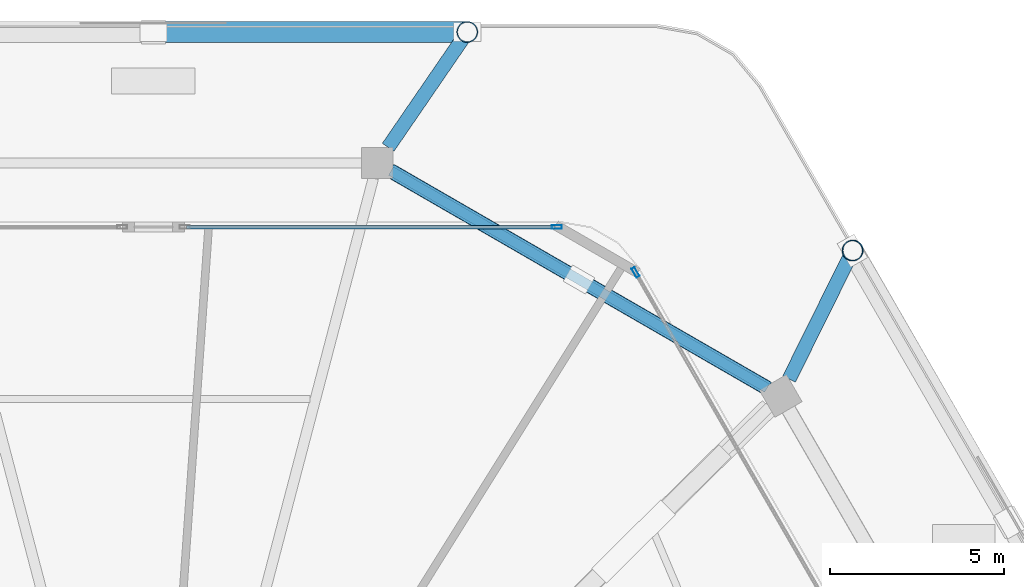
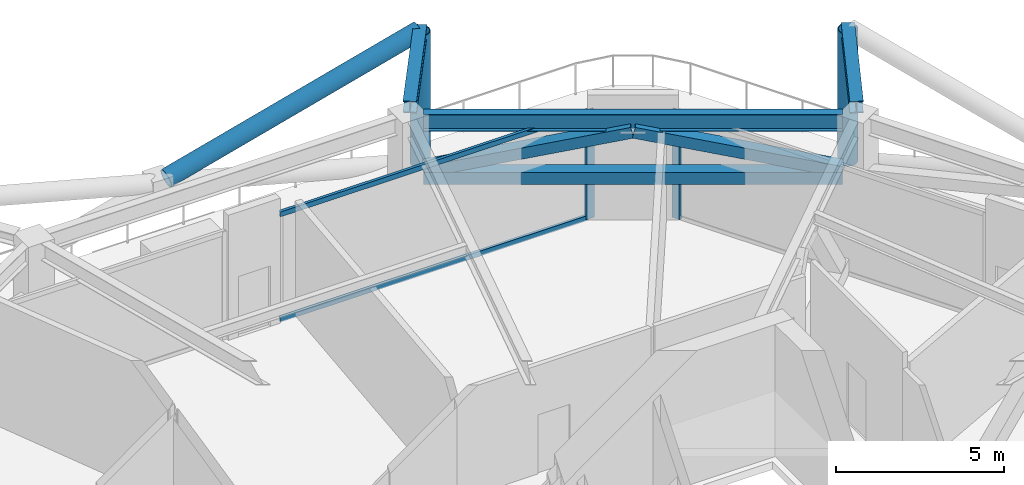
# One storey, part 11 of 20: 10 members, 3 beams, 2 elements without a shape of their own.
"""IFC4 building model written with IfcOpenShell, lengths in metres."""

from ifc_helpers import new_model, si_unit, direction, frame, origin, origin_2d, place, context, subcontext, project, spatial, hollow_rectangle, hollow_circle, i_section, extrude, material, material_profile, profile_set, type_object, element, aggregate, save


model = new_model("IFC4")

# Units and contexts
model_context = context("Model", 3, precision=1e-05, world=origin(), true_north=direction((0.0, 1.0)))
body_context = subcontext(model_context, "Body", "Model", "MODEL_VIEW")
ifc_project = project(units=[si_unit("LENGTHUNIT", "METRE"), si_unit("AREAUNIT", "SQUARE_METRE"), si_unit("VOLUMEUNIT", "CUBIC_METRE"), si_unit("PLANEANGLEUNIT", "RADIAN"), si_unit("MASSUNIT", "GRAM", prefix="KILO")], contexts=[model_context])

# Site, building, storey
site_placement = place(None, origin())
site = spatial("IfcSite", under=ifc_project, at=site_placement, CompositionType="ELEMENT")
building_placement = place(site_placement, origin())
building = spatial("IfcBuilding", under=site, at=building_placement, Name="Zuhravey Tower", CompositionType="ELEMENT")
storey_placement = place(building_placement, frame((0.0, 0.0, 226.39990234375)))
storey = spatial("IfcBuildingStorey", under=building, at=storey_placement, Name="L57", CompositionType="ELEMENT", Elevation=226.39990234375)

# Members
ifc_material_1 = material(Name="Steel SM355", Category="steel")
ifc_material_profile_1 = material_profile(ifc_material_1, hollow_rectangle(XDim=0.419921875, YDim=0.419921875, WallThickness=0.028076171875, at=origin_2d()), Name="RHS-420x420x28")
ifc_profile_set_1 = profile_set([ifc_material_profile_1], Name="Steel SM355")
member_type_1 = type_object("IfcMemberType", Name="Belt Truss Chord RHS420x420", PredefinedType="CHORD", material=ifc_profile_set_1)
member_1_placement = place(storey_placement, frame((53.649658203125, 50.082275390625, 2.27001953125), z_axis=(-0.866024429177, 0.500001688065, 0.0), x_axis=(-0.500001688065, -0.866024429177, 0.0)))
element("IfcMember", 1, at=member_1_placement, inside=storey, type_object=member_type_1, Name="L57 Belt Truss Bottom Chord BTC1-02", PredefinedType="CHORD", context=body_context, shape_type="SweptSolid", body=[
    extrude(hollow_rectangle(XDim=0.419921875, YDim=0.419921875, WallThickness=0.028076171875, at=origin_2d()), origin(), (0.0, 0.0, 1.0), 12.48779296875),
])
ifc_material_profile_2 = material_profile(ifc_material_1, hollow_rectangle(XDim=0.39990234375, YDim=0.39990234375, WallThickness=0.02490234375, at=origin_2d()), Name="RHS-400x400x25")
ifc_profile_set_2 = profile_set([ifc_material_profile_2], Name="Steel SM355")
member_type_2 = type_object("IfcMemberType", Name="Belt Truss Diagonal RHS400x400", PredefinedType="BRACE", material=ifc_profile_set_2)
member_2_placement = place(storey_placement, frame((53.636962890625, 50.089599609375, 2.493408203125), z_axis=(-0.843887873098, 0.487178374606, 0.224745386947), x_axis=(-0.49996881482, -0.866043407808, 0.0)))
element("IfcMember", 2, at=member_2_placement, inside=storey, type_object=member_type_2, Name="L57 Belt Truss Diagonal BTD1-02.1", PredefinedType="BRACE", context=body_context, shape_type="SweptSolid", body=[
    extrude(hollow_rectangle(XDim=0.39990234375, YDim=0.39990234375, WallThickness=0.02490234375, at=origin_2d()), origin(), (0.0, 0.0, 1.0), 6.367919921875),
])
member_3_placement = place(storey_placement, frame((42.84765625, 56.31884765625, 2.493408203125), z_axis=(0.843861073225, -0.487223376581, 0.224748460302), x_axis=(0.50001536203, 0.866016534331, 0.0)))
element("IfcMember", 3, at=member_3_placement, inside=storey, type_object=member_type_2, Name="L57 Belt Truss Diagonal BTD1-02.2", PredefinedType="BRACE", context=body_context, shape_type="SweptSolid", body=[
    extrude(hollow_rectangle(XDim=0.39990234375, YDim=0.39990234375, WallThickness=0.02490234375, at=origin_2d()), origin(), (0.0, 0.0, 1.0), 6.36767578125),
])

# Beams
ifc_material_2 = material(Name="Steel SM460", Category="steel")
ifc_material_profile_3 = material_profile(ifc_material_2, i_section(OverallWidth=0.406982421875, OverallDepth=0.427978515625, WebThickness=0.02001953125, FlangeThickness=0.034912109375, at=origin_2d()), Name="H-428x407x20x35")
ifc_profile_set_3 = profile_set([ifc_material_profile_3], Name="Steel SM460")
beam_type_1 = type_object("IfcBeamType", Name="Exoskeleton Node Tie Beam H428x407", PredefinedType="BEAM", material=ifc_profile_set_3)
beam_1_placement = place(storey_placement, frame((54.285400390625, 50.342529296875, 4.336181640625), z_axis=(0.444076610342, 0.895988819209, 0.0), x_axis=(-0.895988819209, 0.444076610342, 0.0)))
element("IfcBeam", 4, at=beam_1_placement, inside=storey, type_object=beam_type_1, Name="L57 Exoskeleton Node Tie NT1-02", PredefinedType="BEAM", context=body_context, shape_type="SweptSolid", body=[
    extrude(i_section(OverallWidth=0.406982421875, OverallDepth=0.427978515625, WebThickness=0.02001953125, FlangeThickness=0.034912109375, at=origin_2d()), origin(), (0.0, 0.0, 1.0), 4.11279296875),
])
beam_2_placement = place(storey_placement, frame((42.752197265625, 57.0068359375, 4.336181640625), z_axis=(0.565936679704, 0.824448709481, 0.0), x_axis=(-0.824448709481, 0.565936679704, 0.0)))
element("IfcBeam", 5, at=beam_2_placement, inside=storey, type_object=beam_type_1, Name="L57 Exoskeleton Node Tie NT1-03", PredefinedType="BEAM", context=body_context, shape_type="SweptSolid", body=[
    extrude(i_section(OverallWidth=0.406982421875, OverallDepth=0.427978515625, WebThickness=0.02001953125, FlangeThickness=0.034912109375, at=origin_2d()), origin(), (0.0, 0.0, 1.0), 4.008056640625),
])

# Members
ifc_material_profile_4 = material_profile(ifc_material_1, hollow_circle(Radius=0.3046875, WallThickness=0.028076171875, at=origin_2d()), Name="CHS-609.6x28")
ifc_profile_set_4 = profile_set([ifc_material_profile_4], Name="Steel SM355")
member_type_3 = type_object("IfcMemberType", Name="Exoskeleton Zone 3 Diagrid CHS610x28", PredefinedType="BRACE", material=ifc_profile_set_4)
for number, where, z_axis, x_axis, name in (
    (6, (56.10546875, 54.03369140625, -0.475830078125), (0.002699111076, 0.001527798722, 0.999995190304), (-0.492598219852, 0.870256855071, 0.0), "L57 Face 1 Diagrid Brace 4"),
    (7, (45.029052734375, 60.323486328125, -0.475830078125), (0.0, 0.0, 1.0), (1.0, 0.0, 0.0), "L57 Face 2 Diagrid Brace 1"),
):
    element("IfcMember", number, at=place(storey_placement, frame(where, z_axis=z_axis, x_axis=x_axis)), inside=storey, type_object=member_type_3, Name=name, PredefinedType="BRACE", context=body_context, shape_type="SweptSolid", body=[
        extrude(hollow_circle(Radius=0.3046875, WallThickness=0.028076171875, at=origin_2d()), origin(), (0.0, 0.0, 1.0), 4.7939453125),
    ])
member_4_placement = place(storey_placement, frame((36.284912109375, 60.323486328125, 1.997314453125), z_axis=(0.966041782688, 0.0, 0.258385901514), x_axis=(0.0, 1.0, 0.0)))
element("IfcMember", 8, at=member_4_placement, inside=storey, type_object=member_type_3, Name="L57 Face 2 Split Diagrid Brace 3B", PredefinedType="BRACE", context=body_context, shape_type="SweptSolid", body=[
    extrude(hollow_circle(Radius=0.3046875, WallThickness=0.028076171875, at=origin_2d()), origin(), (0.0, 0.0, 1.0), 8.991455078125),
])

# Curtain wall, member
ifc_material_3 = material(Name="Thermally broken anodised aluminium", Category="aluminium")
curtain_wall_type = type_object("IfcCurtainWallType", Name="Sky-Garden Tray Clerestory Curtain Wall CW5", PredefinedType="NOTDEFINED", material=ifc_material_3)
curtain_wall_1_placement = place(storey_placement, origin())
curtain_wall_1 = element("IfcCurtainWall", 9, at=curtain_wall_1_placement, inside=storey, type_object=curtain_wall_type, Name="L57 CW5 CW-L57-F2-2", PredefinedType="NOTDEFINED")
ifc_material_4 = material(Name="Anodised aluminium", Category="aluminium")
ifc_material_profile_5 = material_profile(ifc_material_4, hollow_rectangle(XDim=0.10009765625, YDim=0.2900390625, WallThickness=0.006103515625, at=origin_2d()), Name="ALU-RHS-100x290x6")
ifc_profile_set_5 = profile_set([ifc_material_profile_5], Name="Anodised aluminium")
member_type_4 = type_object("IfcMemberType", Name="Heavy Tall-Storey Mullion 100x220", PredefinedType="MULLION", material=ifc_profile_set_5)
member_5_placement = place(storey_placement, frame((47.60595703125, 54.713623046875, 0.0), z_axis=(0.0, 0.0, 1.0), x_axis=(0.0, 1.0, 0.0)))
member_5 = element("IfcMember", 10, at=member_5_placement, type_object=member_type_4, Name="CW5 mullion 2", PredefinedType="MULLION", context=body_context, shape_type="SweptSolid", body=[
    extrude(hollow_rectangle(XDim=0.10009765625, YDim=0.2900390625, WallThickness=0.006103515625, at=origin_2d()), origin(), (0.0, 0.0, 1.0), 3.93017578125),
])

curtain_wall_2_placement = place(storey_placement, origin())
curtain_wall_2 = element("IfcCurtainWall", 11, at=curtain_wall_2_placement, inside=storey, type_object=curtain_wall_type, Name="L57 CW5 CW-L57-F1-1", PredefinedType="NOTDEFINED")
member_6_placement = place(storey_placement, frame((49.86767578125, 53.40771484375, 0.0), z_axis=(0.0, 0.0, 1.0), x_axis=(0.866023772421, 0.500002825594, 0.0)))
member_6 = element("IfcMember", 12, at=member_6_placement, type_object=member_type_4, Name="CW5 mullion 1", PredefinedType="MULLION", context=body_context, shape_type="SweptSolid", body=[
    extrude(hollow_rectangle(XDim=0.10009765625, YDim=0.2900390625, WallThickness=0.006103515625, at=origin_2d()), origin(), (0.0, 0.0, 1.0), 3.93017578125),
])
aggregate(curtain_wall_2, [member_6])

# Beam
ifc_material_profile_6 = material_profile(ifc_material_1, i_section(OverallWidth=0.280029296875, OverallDepth=0.6201171875, WebThickness=0.011962890625, FlangeThickness=0.02001953125, at=origin_2d()), Name="H-620x280x12x20")
ifc_profile_set_6 = profile_set([ifc_material_profile_6], Name="Steel SM355")
beam_type_2 = type_object("IfcBeamType", Name="Perimeter Ring Beam H620x280", PredefinedType="BEAM", material=ifc_profile_set_6)
beam_3_placement = place(storey_placement, frame((53.6513671875, 50.081298828125, 4.239990234375), z_axis=(-0.866025131093, 0.500000472315, 0.0), x_axis=(-0.500000472315, -0.866025131093, 0.0)))
element("IfcBeam", 13, at=beam_3_placement, inside=storey, type_object=beam_type_2, Name="L57 PB3 BM-L57-PB-02", PredefinedType="BEAM", context=body_context, shape_type="SweptSolid", body=[
    extrude(i_section(OverallWidth=0.280029296875, OverallDepth=0.6201171875, WebThickness=0.011962890625, FlangeThickness=0.02001953125, at=origin_2d()), origin(), (0.0, 0.0, 1.0), 12.49169921875),
])

# Member
ifc_material_profile_7 = material_profile(ifc_material_4, hollow_rectangle(XDim=0.10009765625, YDim=0.179931640625, WallThickness=0.006103515625, at=origin_2d()), Name="ALU-RHS-100x180x6")
ifc_profile_set_7 = profile_set([ifc_material_profile_7], Name="Anodised aluminium")
member_type_5 = type_object("IfcMemberType", Name="Tall-Storey Transom 100x180", PredefinedType="USERDEFINED", material=ifc_profile_set_7)
member_7_placement = place(storey_placement, frame((36.949951171875, 54.713623046875, 0.050048828125), z_axis=(1.0, 0.0, 0.0), x_axis=(0.0, 1.0, 0.0)))
member_7 = element("IfcMember", 14, at=member_7_placement, type_object=member_type_5, Name="CW5 transom 1.1", ObjectType="TRANSOM", PredefinedType="USERDEFINED", context=body_context, shape_type="SweptSolid", body=[
    extrude(hollow_rectangle(XDim=0.10009765625, YDim=0.179931640625, WallThickness=0.006103515625, at=origin_2d()), origin(), (0.0, 0.0, 1.0), 10.60595703125),
])

member_8_placement = place(storey_placement, frame((36.949951171875, 54.713623046875, 3.880126953125), z_axis=(1.0, 0.0, 0.0), x_axis=(0.0, 1.0, 0.0)))
member_8 = element("IfcMember", 15, at=member_8_placement, type_object=member_type_5, Name="CW5 transom 1.2", ObjectType="TRANSOM", PredefinedType="USERDEFINED", context=body_context, shape_type="SweptSolid", body=[
    extrude(hollow_rectangle(XDim=0.10009765625, YDim=0.179931640625, WallThickness=0.006103515625, at=origin_2d()), origin(), (0.0, 0.0, 1.0), 10.60595703125),
])

aggregate(curtain_wall_1, [member_5, member_7, member_8])

save(model, "model.ifc")
